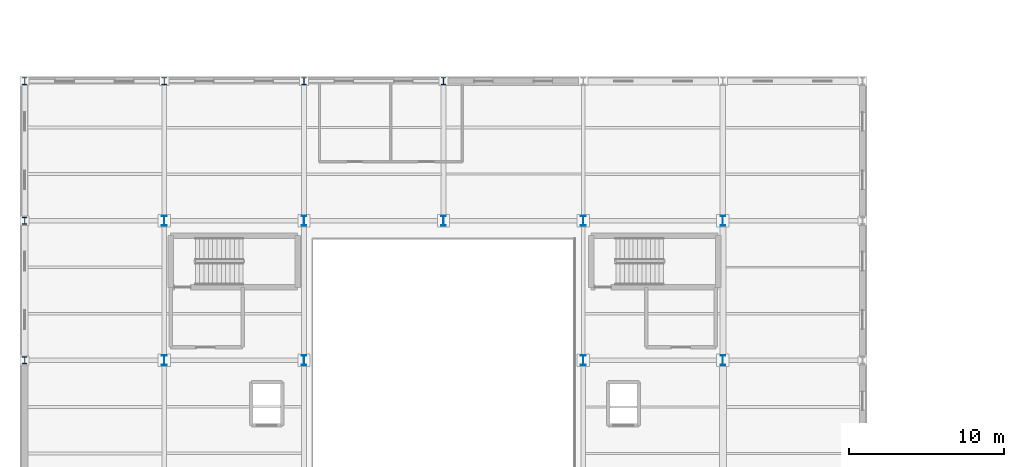
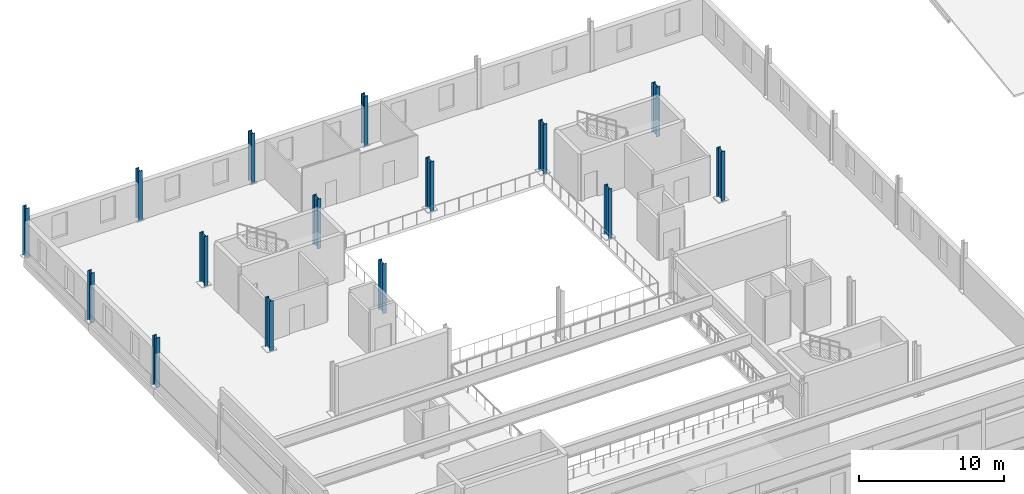
# One storey, part 3 of 17: 15 columns.
"""IFC4 building model written with IfcOpenShell, lengths in metres."""

from ifc_helpers import new_model, si_unit, direction, frame, origin, origin_2d, place, context, subcontext, project, spatial, i_section, extrude, material, material_profile, profile_set, type_object, element, save


model = new_model("IFC4")

# Units and contexts
model_context = context("Model", 3, precision=1e-05, world=origin(), true_north=direction((0.0, 1.0)))
body_context = subcontext(model_context, "Body", "Model", "MODEL_VIEW")
ifc_project = project(units=[si_unit("LENGTHUNIT", "METRE"), si_unit("AREAUNIT", "SQUARE_METRE"), si_unit("VOLUMEUNIT", "CUBIC_METRE"), si_unit("PLANEANGLEUNIT", "RADIAN"), si_unit("MASSUNIT", "GRAM", prefix="KILO")], contexts=[model_context])

# Site, building, storey
site_placement = place(None, origin())
site = spatial("IfcSite", under=ifc_project, at=site_placement, CompositionType="ELEMENT")
building_placement = place(site_placement, origin())
building = spatial("IfcBuilding", under=site, at=building_placement, Name="Sundgate Opera House", CompositionType="ELEMENT")
storey_placement = place(building_placement, frame((0.0, 0.0, 26.39990234375)))
storey = spatial("IfcBuildingStorey", under=building, at=storey_placement, Name="L05", CompositionType="ELEMENT", Elevation=26.39990234375)

# Columns
ifc_material_1 = material(Name="Steel S355J2", Category="steel")
ifc_material_profile_1 = material_profile(ifc_material_1, i_section(OverallWidth=0.300048828125, OverallDepth=0.449951171875, WebThickness=0.013916015625, FlangeThickness=0.02587890625, at=origin_2d()), Name="HEB 450")
ifc_profile_set_1 = profile_set([ifc_material_profile_1], Name="Steel S355J2")
column_type_1 = type_object("IfcColumnType", Name="CL-STL-450", PredefinedType="COLUMN", material=ifc_profile_set_1)
for number, where, z_axis, x_axis, name in (
    (1, (27.0, 69.0, 0.0), (0.0, 0.0, 1.0), (1.0, 0.0, 0.0), "L05 Column C0183"),
    (2, (27.0, 78.0, 0.0), (0.0, 0.0, 1.0), (1.0, 0.0, 0.0), "L05 Column C0189"),
    (3, (27.0, 87.0, 0.0), (0.0, 0.0, 1.0), (1.0, 0.0, 0.0), "L05 Column C0195"),
    (4, (36.0, 87.0, 0.0), (0.0, 0.0, 1.0), (1.0, 0.0, 0.0), "L05 Column C0260"),
    (5, (45.0, 87.0, 0.0), (0.0, 0.0, 1.0), (1.0, 0.0, 0.0), "L05 Column C0320"),
    (6, (54.0, 87.0, 0.0), (0.0, 0.0, 1.0), (1.0, 0.0, 0.0), "L05 Column C0375"),
):
    element("IfcColumn", number, at=place(storey_placement, frame(where, z_axis=z_axis, x_axis=x_axis)), inside=storey, type_object=column_type_1, Name=name, PredefinedType="COLUMN", context=body_context, shape_type="SweptSolid", body=[
        extrude(i_section(OverallWidth=0.300048828125, OverallDepth=0.449951171875, WebThickness=0.013916015625, FlangeThickness=0.02587890625, at=origin_2d()), origin(), (0.0, 0.0, 1.0), 4.2001953125),
    ])
ifc_material_2 = material(Name="Steel S355J2", Category="steel")
ifc_material_profile_2 = material_profile(ifc_material_2, i_section(OverallWidth=0.300048828125, OverallDepth=0.64990234375, WebThickness=0.01611328125, FlangeThickness=0.031005859375, at=origin_2d()), Name="HEB 650")
ifc_profile_set_2 = profile_set([ifc_material_profile_2], Name="Steel S355J2")
column_type_2 = type_object("IfcColumnType", Name="CL-STL-650", PredefinedType="COLUMN", material=ifc_profile_set_2)
for number, where, z_axis, x_axis, name in (
    (7, (36.0, 69.0, 0.0), (0.0, 0.0, 1.0), (1.0, 0.0, 0.0), "L05 Column C0246"),
    (8, (36.0, 78.0, 0.0), (0.0, 0.0, 1.0), (1.0, 0.0, 0.0), "L05 Column C0254"),
    (9, (45.0, 69.0, 0.0), (0.0, 0.0, 1.0), (1.0, 0.0, 0.0), "L05 Column C0306"),
    (10, (45.0, 78.0, 0.0), (0.0, 0.0, 1.0), (1.0, 0.0, 0.0), "L05 Column C0314"),
    (11, (54.0, 78.0, 0.0), (0.0, 0.0, 1.0), (1.0, 0.0, 0.0), "L05 Column C0369"),
    (12, (63.0, 69.0, 0.0), (0.0, 0.0, 1.0), (1.0, 0.0, 0.0), "L05 Column C0422"),
    (13, (63.0, 78.0, 0.0), (0.0, 0.0, 1.0), (1.0, 0.0, 0.0), "L05 Column C0430"),
    (14, (72.0, 69.0, 0.0), (0.0, 0.0, 1.0), (1.0, 0.0, 0.0), "L05 Column C0489"),
    (15, (72.0, 78.0, 0.0), (0.0, 0.0, 1.0), (1.0, 0.0, 0.0), "L05 Column C0497"),
):
    element("IfcColumn", number, at=place(storey_placement, frame(where, z_axis=z_axis, x_axis=x_axis)), inside=storey, type_object=column_type_2, Name=name, PredefinedType="COLUMN", context=body_context, shape_type="SweptSolid", body=[
        extrude(i_section(OverallWidth=0.300048828125, OverallDepth=0.64990234375, WebThickness=0.01611328125, FlangeThickness=0.031005859375, at=origin_2d()), origin(), (0.0, 0.0, 1.0), 4.2001953125),
    ])

save(model, "model.ifc")
